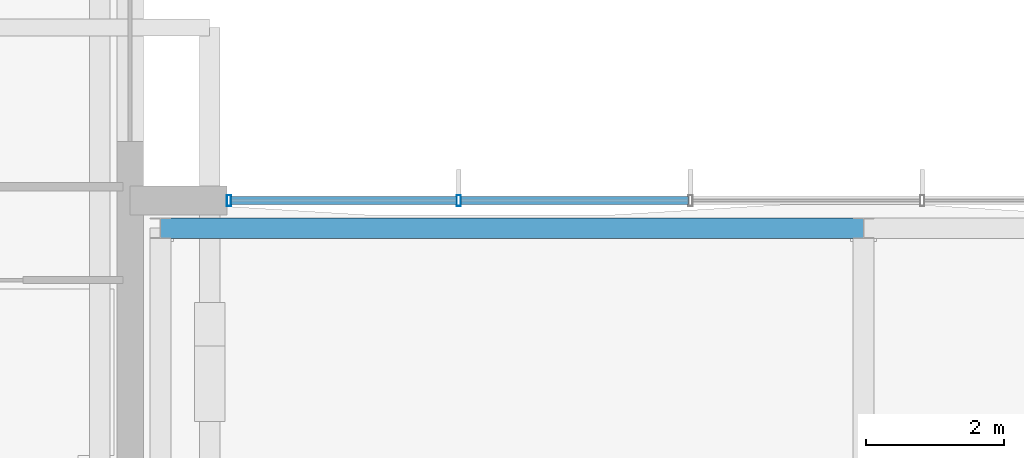
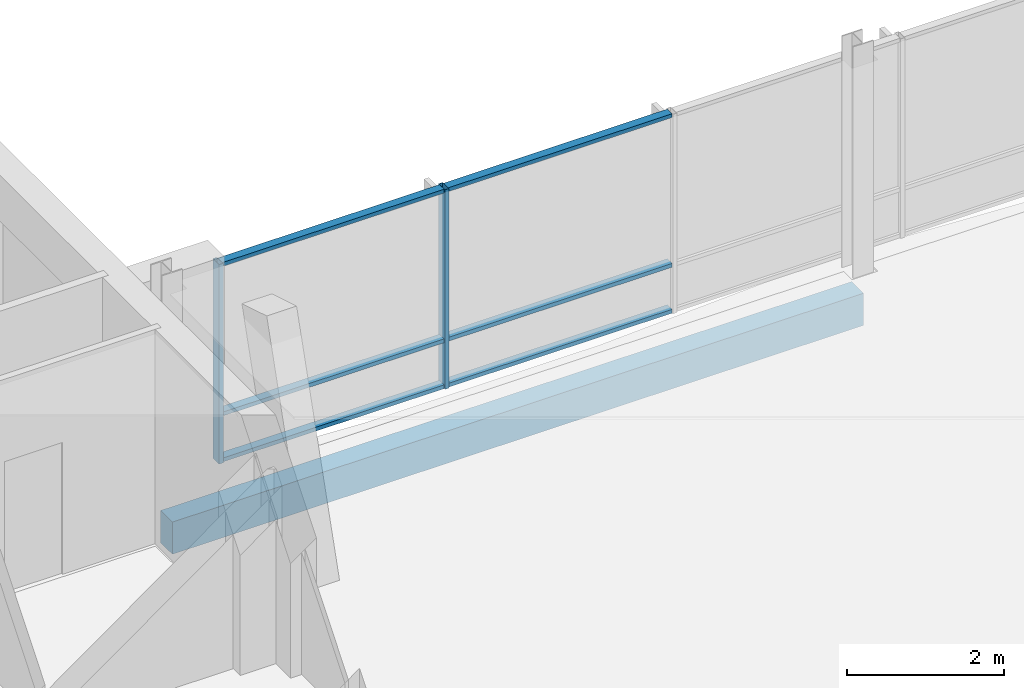
# One storey, part 19 of 189: 8 members, 1 beam, 1 element without a shape of its own.
"""IFC4 building model written with IfcOpenShell, lengths in metres."""

from ifc_helpers import new_model, si_unit, direction, frame, origin, origin_2d, place, context, subcontext, project, spatial, rectangle, hollow_rectangle, extrude, material, material_profile, profile_set, type_object, element, aggregate, save


model = new_model("IFC4")

# Units and contexts
model_context = context("Model", 3, precision=1e-05, world=origin(), true_north=direction((0.0, 1.0)))
body_context = subcontext(model_context, "Body", "Model", "MODEL_VIEW")
ifc_project = project(units=[si_unit("LENGTHUNIT", "METRE"), si_unit("AREAUNIT", "SQUARE_METRE"), si_unit("VOLUMEUNIT", "CUBIC_METRE"), si_unit("PLANEANGLEUNIT", "RADIAN"), si_unit("MASSUNIT", "GRAM", prefix="KILO")], contexts=[model_context])

# Site, building, storey
site_placement = place(None, origin())
site = spatial("IfcSite", under=ifc_project, at=site_placement, CompositionType="ELEMENT")
building_placement = place(site_placement, origin())
building = spatial("IfcBuilding", under=site, at=building_placement, Name="Zavelmont Quarter", CompositionType="ELEMENT")
storey_placement = place(building_placement, frame((0.0, 0.0, 4.39990234375)))
storey = spatial("IfcBuildingStorey", under=building, at=storey_placement, Name="L01", CompositionType="ELEMENT", Elevation=4.39990234375)

# Beam
ifc_material_1 = material(Name="Concrete C35/45", Category="concrete")
ifc_material_profile_1 = material_profile(ifc_material_1, rectangle(XDim=0.300048828125, YDim=0.5, at=origin_2d()), Name="RC300X500")
ifc_profile_set_1 = profile_set([ifc_material_profile_1], Name="Concrete C35/45")
beam_type = type_object("IfcBeamType", Name="BM03", PredefinedType="BEAM", material=ifc_profile_set_1)
beam_placement = place(storey_placement, frame((55.639892578125, 14.0, -0.52978515625), z_axis=(1.0, 0.0, 0.0), x_axis=(0.0, 1.0, 0.0)))
element("IfcBeam", 1, at=beam_placement, inside=storey, type_object=beam_type, Name="L01 beam BM03 9/C to 10/C", PredefinedType="BEAM", context=body_context, shape_type="SweptSolid", body=[
    extrude(rectangle(XDim=0.300048828125, YDim=0.5, at=origin_2d()), origin(), (0.0, 0.0, 1.0), 10.16015625),
])

# Curtain wall, members
ifc_material_2 = material(Name="Thermally broken aluminium and double low-E safety glazing", Category="aluminium")
curtain_wall_type = type_object("IfcCurtainWallType", Name="CW-1340X310", PredefinedType="NOTDEFINED", material=ifc_material_2)
curtain_wall_placement = place(storey_placement, origin())
curtain_wall = element("IfcCurtainWall", 2, at=curtain_wall_placement, inside=storey, type_object=curtain_wall_type, Name="L01 unitised curtain wall CW-1340X310", PredefinedType="NOTDEFINED")
ifc_material_3 = material(Name="Powder-coated aluminium EN AW-6063-T6", Category="aluminium")
ifc_material_profile_2 = material_profile(ifc_material_3, hollow_rectangle(XDim=0.06005859375, YDim=0.159912109375, WallThickness=0.00390625, at=origin_2d()), Name="CWM60X160")
ifc_profile_set_2 = profile_set([ifc_material_profile_2], Name="Powder-coated aluminium EN AW-6063-T6")
member_type_1 = type_object("IfcMemberType", Name="CWM01", PredefinedType="MULLION", material=ifc_profile_set_2)
member_1_placement = place(storey_placement, frame((56.6298828125, 14.39990234375, 0.0), z_axis=(0.0, 0.0, 1.0), x_axis=(1.0, 0.0, 0.0)))
member_1 = element("IfcMember", 3, at=member_1_placement, type_object=member_type_1, Name="CW-1340X310 mullion 1", PredefinedType="MULLION", context=body_context, shape_type="SweptSolid", body=[
    extrude(hollow_rectangle(XDim=0.06005859375, YDim=0.159912109375, WallThickness=0.00390625, at=origin_2d()), origin(), (0.0, 0.0, 1.0), 3.10009765625),
])
member_2_placement = place(storey_placement, frame((59.949951171875, 14.39990234375, 0.0), z_axis=(0.0, 0.0, 1.0), x_axis=(1.0, 0.0, 0.0)))
member_2 = element("IfcMember", 4, at=member_2_placement, type_object=member_type_1, Name="CW-1340X310 mullion 2", PredefinedType="MULLION", context=body_context, shape_type="SweptSolid", body=[
    extrude(hollow_rectangle(XDim=0.06005859375, YDim=0.159912109375, WallThickness=0.00390625, at=origin_2d()), origin(), (0.0, 0.0, 1.0), 3.10009765625),
])
ifc_material_profile_3 = material_profile(ifc_material_3, hollow_rectangle(XDim=0.1201171875, YDim=0.06005859375, WallThickness=0.00390625, at=origin_2d()), Name="CWT60X120")
ifc_profile_set_3 = profile_set([ifc_material_profile_3], Name="Powder-coated aluminium EN AW-6063-T6")
member_type_2 = type_object("IfcMemberType", Name="CWT01", PredefinedType="NOTDEFINED", material=ifc_profile_set_3)
member_3_placement = place(storey_placement, frame((56.659912109375, 14.39990234375, 0.030029296875), z_axis=(1.0, 0.0, 0.0), x_axis=(0.0, 1.0, 0.0)))
member_3 = element("IfcMember", 5, at=member_3_placement, type_object=member_type_2, Name="CW-1340X310 transom 1.1", ObjectType="TRANSOM", PredefinedType="USERDEFINED", context=body_context, shape_type="SweptSolid", body=[
    extrude(hollow_rectangle(XDim=0.1201171875, YDim=0.06005859375, WallThickness=0.00390625, at=origin_2d()), origin(), (0.0, 0.0, 1.0), 3.260009765625),
])
member_4_placement = place(storey_placement, frame((56.659912109375, 14.39990234375, 0.744140625), z_axis=(1.0, 0.0, 0.0), x_axis=(0.0, 1.0, 0.0)))
member_4 = element("IfcMember", 6, at=member_4_placement, type_object=member_type_2, Name="CW-1340X310 transom 1.2", ObjectType="TRANSOM", PredefinedType="USERDEFINED", context=body_context, shape_type="SweptSolid", body=[
    extrude(hollow_rectangle(XDim=0.1201171875, YDim=0.06005859375, WallThickness=0.00390625, at=origin_2d()), origin(), (0.0, 0.0, 1.0), 3.260009765625),
])
member_5_placement = place(storey_placement, frame((56.659912109375, 14.39990234375, 3.070068359375), z_axis=(1.0, 0.0, 0.0), x_axis=(0.0, 1.0, 0.0)))
member_5 = element("IfcMember", 7, at=member_5_placement, type_object=member_type_2, Name="CW-1340X310 transom 1.3", ObjectType="TRANSOM", PredefinedType="USERDEFINED", context=body_context, shape_type="SweptSolid", body=[
    extrude(hollow_rectangle(XDim=0.1201171875, YDim=0.06005859375, WallThickness=0.00390625, at=origin_2d()), origin(), (0.0, 0.0, 1.0), 3.260009765625),
])
member_6_placement = place(storey_placement, frame((59.97998046875, 14.39990234375, 0.030029296875), z_axis=(1.0, 0.0, 0.0), x_axis=(0.0, 1.0, 0.0)))
member_6 = element("IfcMember", 8, at=member_6_placement, type_object=member_type_2, Name="CW-1340X310 transom 2.1", ObjectType="TRANSOM", PredefinedType="USERDEFINED", context=body_context, shape_type="SweptSolid", body=[
    extrude(hollow_rectangle(XDim=0.1201171875, YDim=0.06005859375, WallThickness=0.00390625, at=origin_2d()), origin(), (0.0, 0.0, 1.0), 3.2900390625),
])
member_7_placement = place(storey_placement, frame((59.97998046875, 14.39990234375, 0.744140625), z_axis=(1.0, 0.0, 0.0), x_axis=(0.0, 1.0, 0.0)))
member_7 = element("IfcMember", 9, at=member_7_placement, type_object=member_type_2, Name="CW-1340X310 transom 2.2", ObjectType="TRANSOM", PredefinedType="USERDEFINED", context=body_context, shape_type="SweptSolid", body=[
    extrude(hollow_rectangle(XDim=0.1201171875, YDim=0.06005859375, WallThickness=0.00390625, at=origin_2d()), origin(), (0.0, 0.0, 1.0), 3.2900390625),
])
member_8_placement = place(storey_placement, frame((59.97998046875, 14.39990234375, 3.070068359375), z_axis=(1.0, 0.0, 0.0), x_axis=(0.0, 1.0, 0.0)))
member_8 = element("IfcMember", 10, at=member_8_placement, type_object=member_type_2, Name="CW-1340X310 transom 2.3", ObjectType="TRANSOM", PredefinedType="USERDEFINED", context=body_context, shape_type="SweptSolid", body=[
    extrude(hollow_rectangle(XDim=0.1201171875, YDim=0.06005859375, WallThickness=0.00390625, at=origin_2d()), origin(), (0.0, 0.0, 1.0), 3.2900390625),
])
aggregate(curtain_wall, [member_1, member_2, member_3, member_4, member_5, member_6, member_7, member_8])

save(model, "model.ifc")
